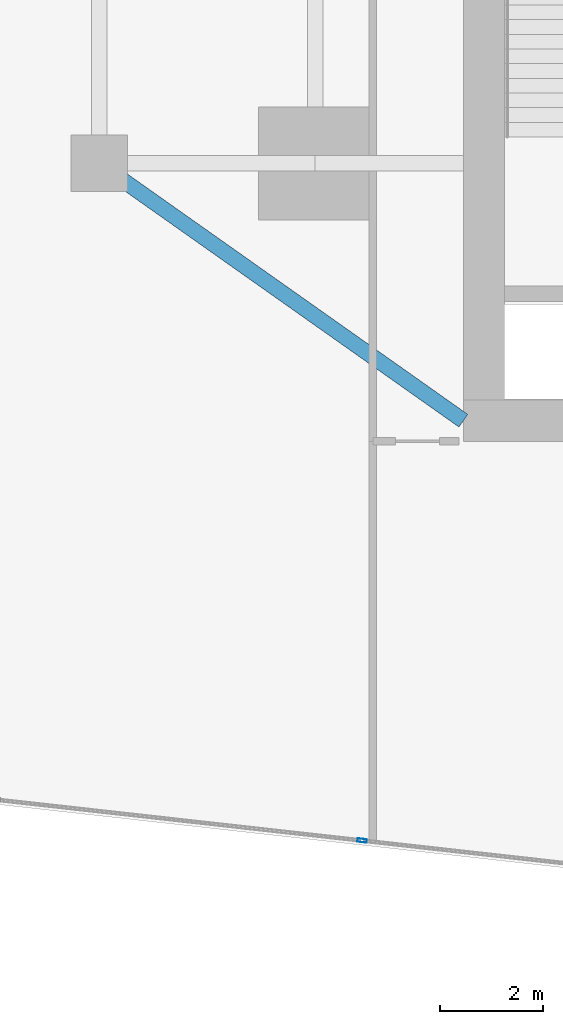
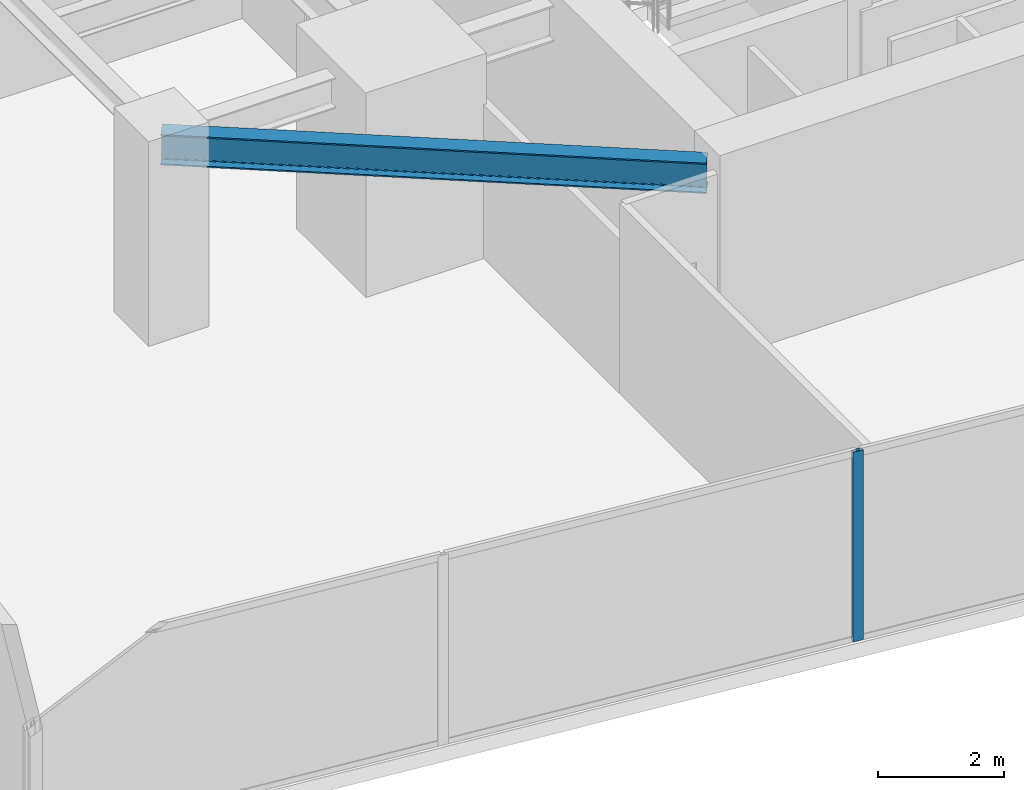
# One storey, part 4 of 29: 1 beam, 1 member, 1 element without a shape of its own.
"""IFC4 building model written with IfcOpenShell, lengths in metres."""

from ifc_helpers import new_model, si_unit, direction, frame, origin, origin_2d, place, context, subcontext, project, spatial, hollow_rectangle, i_section, extrude, source, transform, mapped, material, material_profile, profile_set, type_object, type_shapes, element, aggregate, save


model = new_model("IFC4")

# Units and contexts
model_context = context("Model", 3, precision=1e-05, world=origin(), true_north=direction((0.0, 1.0)))
body_context = subcontext(model_context, "Body", "Model", "MODEL_VIEW")
ifc_project = project(units=[si_unit("LENGTHUNIT", "METRE"), si_unit("AREAUNIT", "SQUARE_METRE"), si_unit("VOLUMEUNIT", "CUBIC_METRE"), si_unit("PLANEANGLEUNIT", "RADIAN"), si_unit("MASSUNIT", "GRAM", prefix="KILO")], contexts=[model_context])

# Site, building, storey
site_placement = place(None, origin())
site = spatial("IfcSite", under=ifc_project, at=site_placement, CompositionType="ELEMENT")
building_placement = place(site_placement, origin())
building = spatial("IfcBuilding", under=site, at=building_placement, Name="Krantzveldt Concourse Tower", CompositionType="ELEMENT")
storey_placement = place(building_placement, frame((0.0, 0.0, 60.550048828125)))
storey = spatial("IfcBuildingStorey", under=building, at=storey_placement, Name="L14", CompositionType="ELEMENT", Elevation=60.550048828125)

# Beam
ifc_material_1 = material(Name="Steel S355JR", Category="steel")
ifc_material_profile_1 = material_profile(ifc_material_1, i_section(OverallWidth=0.300048828125, OverallDepth=0.590087890625, WebThickness=0.012939453125, FlangeThickness=0.02490234375, FilletRadius=0.027099609375, at=origin_2d()), Name="Steel S355JR", Category="steel")
ifc_profile_set_1 = profile_set([ifc_material_profile_1], Name="Steel S355JR - HEA 600")
beam_type = type_object("IfcBeamType", Name="BM-B-HEA600", PredefinedType="BEAM", material=ifc_profile_set_1)
shared_shape_1 = source(origin(), body_context, "Body", "SweptSolid", [
    extrude(i_section(OverallWidth=0.300048828125, OverallDepth=0.590087890625, WebThickness=0.012939453125, FlangeThickness=0.02490234375, FilletRadius=0.027099609375, at=origin_2d()), origin(), (0.0, 0.0, 1.0), 8.667724609375),
])
type_shapes(beam_type, [shared_shape_1])
beam_placement = place(storey_placement, frame((21.0, 15.89990234375, 3.375), z_axis=(0.81684294656, -0.576860122261, 0.0), x_axis=(0.576860122261, 0.81684294656, 0.0)))
element("IfcBeam", 1, at=beam_placement, inside=storey, type_object=beam_type, Name="L14 Tower Girder BR-CSW", PredefinedType="BEAM", context=body_context, shape_type="MappedRepresentation", body=[
    mapped(shared_shape_1, transform((0.0, 0.0, 0.0), x_axis=(1.0, 0.0, 0.0), y_axis=(0.0, 1.0, 0.0), z_axis=(0.0, 0.0, 1.0), scale=1.0)),
])

# Curtain wall, member
ifc_material_2 = material(Name="Anodised aluminium 6063-T6", Category="aluminium")
curtain_wall_type = type_object("IfcCurtainWallType", Name="CW2", PredefinedType="USERDEFINED", material=ifc_material_2)
curtain_wall_placement = place(storey_placement, origin())
curtain_wall = element("IfcCurtainWall", 2, at=curtain_wall_placement, inside=storey, type_object=curtain_wall_type, Name="CW-L14-F04", ObjectType="UNITISED CURTAIN WALL", PredefinedType="USERDEFINED")
ifc_material_profile_2 = material_profile(ifc_material_2, hollow_rectangle(XDim=0.070068359375, YDim=0.179931640625, WallThickness=0.0048828125, at=origin_2d()), Name="Anodised aluminium 6063-T6", Category="aluminium")
ifc_profile_set_2 = profile_set([ifc_material_profile_2], Name="Anodised aluminium 6063-T6 - ALU-MULL 180x70x5")
member_type = type_object("IfcMemberType", Name="CW-MUL-180", PredefinedType="MULLION", material=ifc_profile_set_2)
shared_shape_2 = source(origin(), body_context, "Body", "SweptSolid", [
    extrude(hollow_rectangle(XDim=0.070068359375, YDim=0.179931640625, WallThickness=0.0048828125, at=origin_2d()), origin(), (0.0, 0.0, 1.0), 3.669921875),
])
type_shapes(member_type, [shared_shape_2])
member_placement = place(storey_placement, frame((26.11181640625, 2.73974609375, 0.0), z_axis=(0.0, 0.0, 1.0), x_axis=(0.111035342863, 0.993816458223, 0.0)))
member = element("IfcMember", 3, at=member_placement, type_object=member_type, Name="CW-Z12 mullion 3", PredefinedType="MULLION", context=body_context, shape_type="MappedRepresentation", body=[
    mapped(shared_shape_2, transform((0.0, 0.0, 0.0), x_axis=(1.0, 0.0, 0.0), y_axis=(0.0, 1.0, 0.0), z_axis=(0.0, 0.0, 1.0), scale=1.0)),
])
aggregate(curtain_wall, [member])

save(model, "model.ifc")
